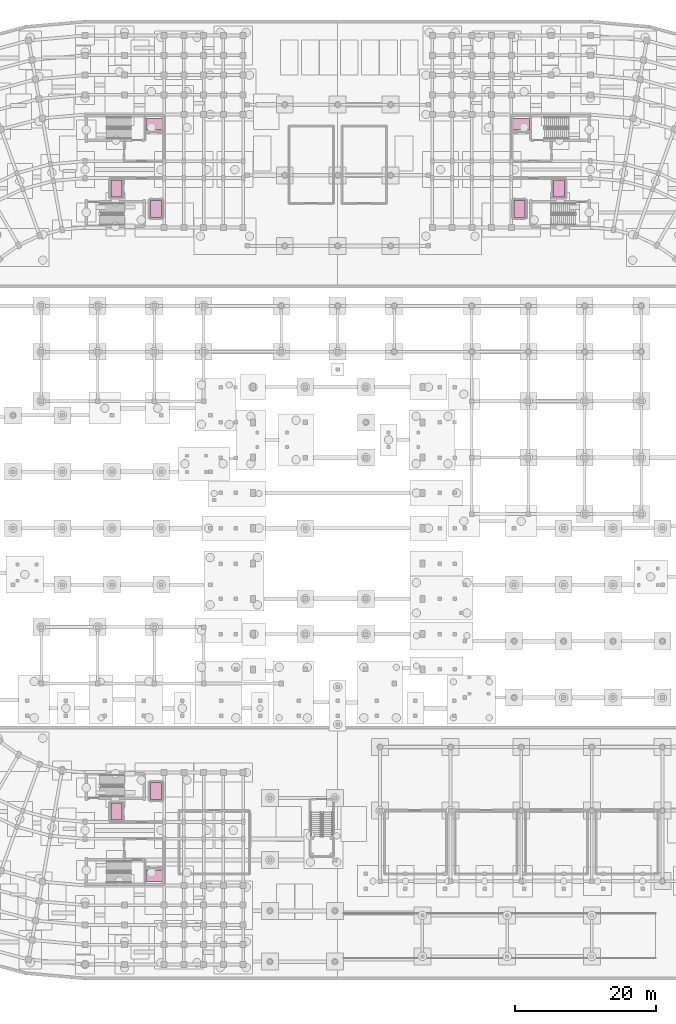
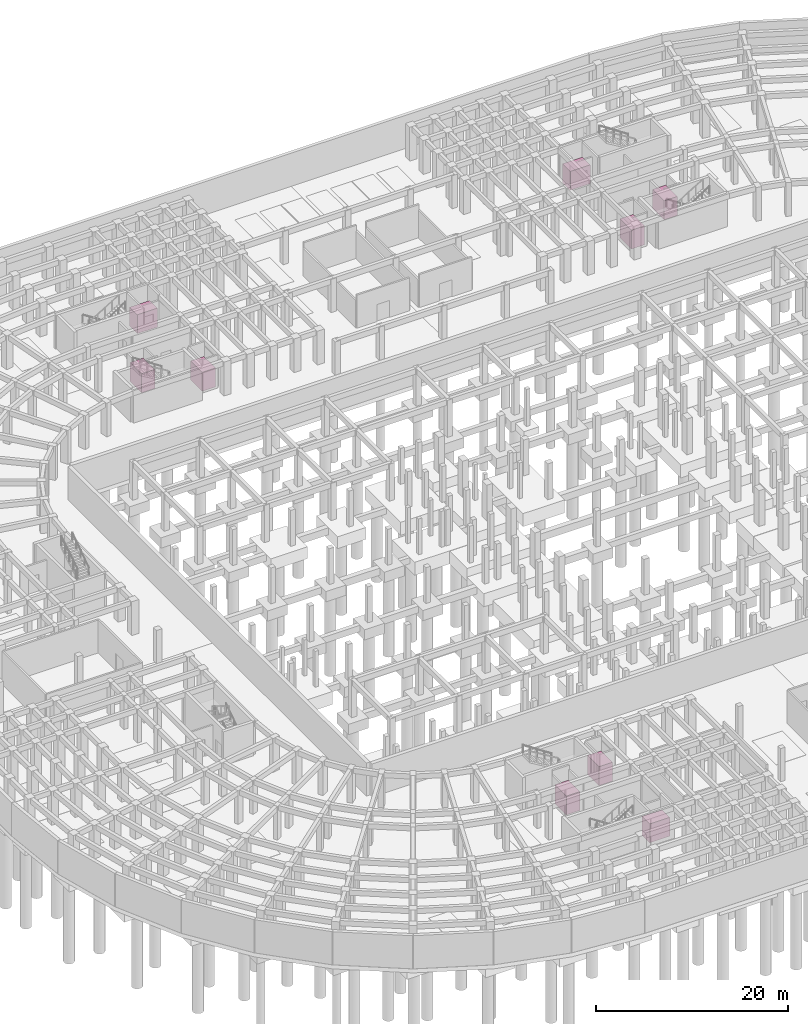
# One storey, part 53 of 53: 9 transport elements.
"""IFC4 building model written with IfcOpenShell, lengths in metres."""

from ifc_helpers import new_model, si_unit, direction, frame, origin, origin_2d, place, context, subcontext, project, spatial, rectangle, extrude, material, type_object, element, save


model = new_model("IFC4")

# Units and contexts
model_context = context("Model", 3, precision=1e-05, world=origin(), true_north=direction((0.0, 1.0)))
body_context = subcontext(model_context, "Body", "Model", "MODEL_VIEW")
ifc_project = project(units=[si_unit("LENGTHUNIT", "METRE"), si_unit("AREAUNIT", "SQUARE_METRE"), si_unit("VOLUMEUNIT", "CUBIC_METRE"), si_unit("PLANEANGLEUNIT", "RADIAN"), si_unit("MASSUNIT", "GRAM", prefix="KILO")], contexts=[model_context])

# Site, building, storey
site_placement = place(None, origin())
site = spatial("IfcSite", under=ifc_project, at=site_placement, CompositionType="ELEMENT")
building_placement = place(site_placement, origin())
building = spatial("IfcBuilding", under=site, at=building_placement, Name="Kiranvali Square Residences", CompositionType="ELEMENT")
storey_placement = place(building_placement, frame((0.0, 0.0, -4.5)))
storey = spatial("IfcBuildingStorey", under=building, at=storey_placement, Name="B1", CompositionType="ELEMENT", Elevation=-4.5)

# Transport elements
ifc_material = material(Name="Brushed stainless steel elevator car cab", Category="steel")
transport_element_type_1 = type_object("IfcTransportElementType", Name="LFT-FIRE-1600x2400", PredefinedType="ELEVATOR", material=ifc_material)
for number, where, z_axis, x_axis, name in (
    (1, (58.02490234375, 121.25, 0.0), (0.0, 0.0, 1.0), (1.0, 0.0, 0.0), "Block A Firefighting Lift LF-A1"),
    (2, (109.97509765625, 121.25, 0.0), (0.0, 0.0, 1.0), (1.0, 0.0, 0.0), "Block B Firefighting Lift LF-B1"),
    (3, (58.02490234375, 14.75, 0.0), (0.0, 0.0, 1.0), (1.0, 0.0, 0.0), "Block C Firefighting Lift LF-C1"),
):
    element("IfcTransportElement", number, at=place(storey_placement, frame(where, z_axis=z_axis, x_axis=x_axis)), inside=storey, type_object=transport_element_type_1, Name=name, PredefinedType="ELEVATOR", context=body_context, shape_type="SweptSolid", body=[
        extrude(rectangle(XDim=2.39990234375, YDim=1.60009765625, at=origin_2d()), origin(), (0.0, 0.0, 1.0), 2.39990234375),
    ])
transport_element_type_2 = type_object("IfcTransportElementType", Name="LFT-PAX-1600x2400", PredefinedType="ELEVATOR", material=ifc_material)
for number, where, z_axis, x_axis, name in (
    (4, (58.25, 109.25, 0.0), (0.0, 0.0, 1.0), (1.0, 0.0, 0.0), "Block A Passenger Lift LP-A1"),
    (5, (52.64990234375, 112.14990234375, 0.0), (0.0, 0.0, 1.0), (1.0, 0.0, 0.0), "Block A Passenger Lift LP-A2"),
    (6, (109.75, 109.25, 0.0), (0.0, 0.0, 1.0), (1.0, 0.0, 0.0), "Block B Passenger Lift LP-B1"),
    (7, (115.35009765625, 112.14990234375, 0.0), (0.0, 0.0, 1.0), (1.0, 0.0, 0.0), "Block B Passenger Lift LP-B2"),
    (8, (58.25, 26.75, 0.0), (0.0, 0.0, 1.0), (1.0, 0.0, 0.0), "Block C Passenger Lift LP-C1"),
    (9, (52.64990234375, 23.85009765625, 0.0), (0.0, 0.0, 1.0), (1.0, 0.0, 0.0), "Block C Passenger Lift LP-C2"),
):
    element("IfcTransportElement", number, at=place(storey_placement, frame(where, z_axis=z_axis, x_axis=x_axis)), inside=storey, type_object=transport_element_type_2, Name=name, PredefinedType="ELEVATOR", context=body_context, shape_type="SweptSolid", body=[
        extrude(rectangle(XDim=1.60009765625, YDim=2.39990234375, at=origin_2d()), origin(), (0.0, 0.0, 1.0), 2.39990234375),
    ])

save(model, "model.ifc")
